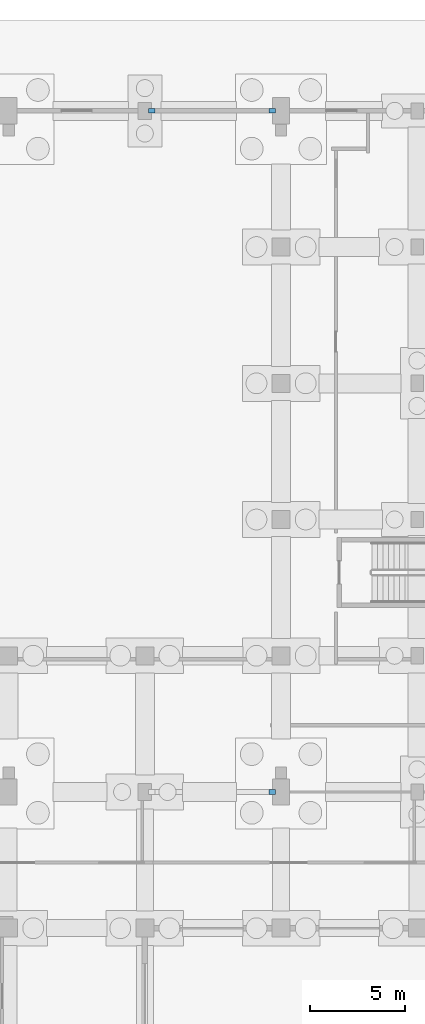
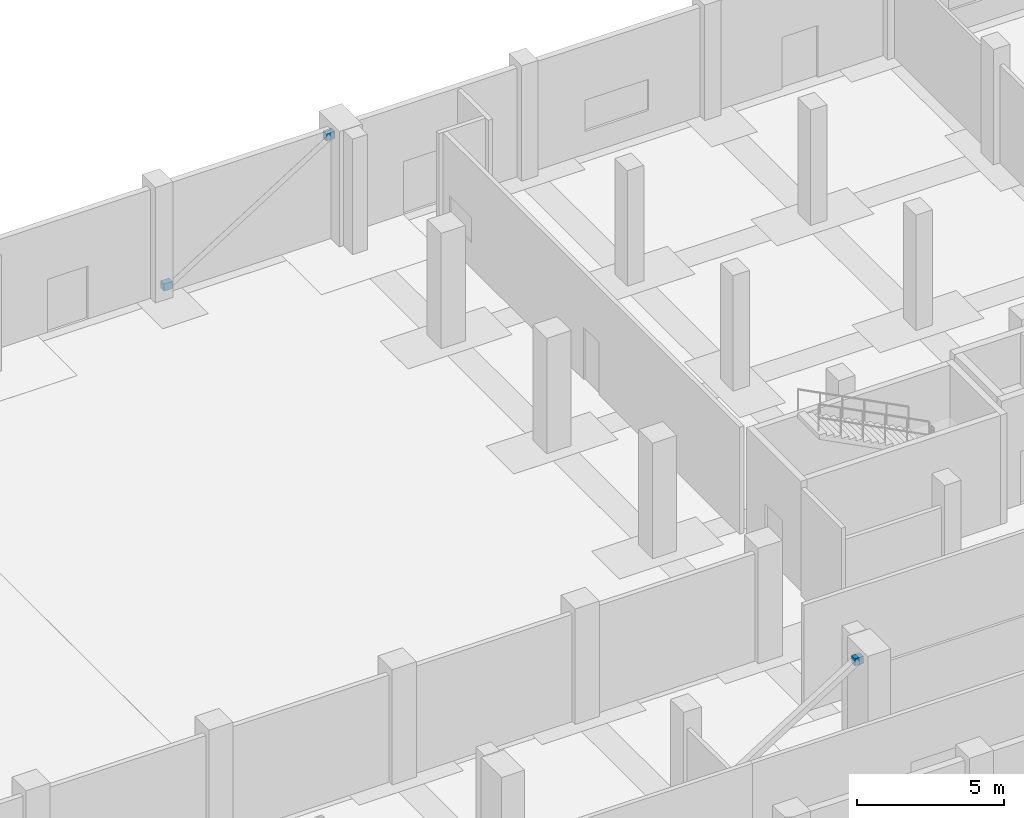
# One storey, part 17 of 48: 3 plates.
"""IFC4 building model written with IfcOpenShell, lengths in metres."""

from ifc_helpers import new_model, si_unit, direction, frame, origin, origin_2d, place, context, subcontext, project, spatial, rectangle, extrude, material, layer, layer_set, type_object, element, save


model = new_model("IFC4")

# Units and contexts
model_context = context("Model", 3, precision=1e-05, world=origin(), true_north=direction((0.0, 1.0)))
body_context = subcontext(model_context, "Body", "Model", "MODEL_VIEW")
ifc_project = project(units=[si_unit("LENGTHUNIT", "METRE"), si_unit("AREAUNIT", "SQUARE_METRE"), si_unit("VOLUMEUNIT", "CUBIC_METRE"), si_unit("PLANEANGLEUNIT", "RADIAN"), si_unit("MASSUNIT", "GRAM", prefix="KILO")], contexts=[model_context])

# Site, building, storey
site_placement = place(None, origin())
site = spatial("IfcSite", under=ifc_project, at=site_placement, CompositionType="ELEMENT")
building_placement = place(site_placement, origin())
building = spatial("IfcBuilding", under=site, at=building_placement, Name="Seraya Terrace Polytechnic", CompositionType="ELEMENT")
storey_placement = place(building_placement, origin())
storey = spatial("IfcBuildingStorey", under=building, at=storey_placement, Name="L00", CompositionType="ELEMENT", Elevation=0.0)

# Plates
ifc_material = material(Name="Steel S355J2", Category="steel")
ifc_layer = layer(ifc_material, 0.300048828125, Name="EP-04")
ifc_layer_set = layer_set([ifc_layer], Name="Steel S355J2")
plate_type = type_object("IfcPlateType", Name="EP-04", PredefinedType="USERDEFINED", material=ifc_layer_set)
for number, where, z_axis, x_axis, name in (
    (1, (114.74169921875, 79.199951171875, 4.1044921875), (0.0, 0.0, 1.0), (1.0, 0.0, 0.0), "Hollow end-cap plate VBR-L00-SE end"),
    (2, (108.358154296875, 115.199951171875, 0.095703125), (0.0, 0.0, 1.0), (1.0, 0.0, 0.0), "Hollow end-cap plate VBR-L00-NE start"),
    (3, (114.74169921875, 115.199951171875, 4.1044921875), (0.0, 0.0, 1.0), (1.0, 0.0, 0.0), "Hollow end-cap plate VBR-L00-NE end"),
):
    element("IfcPlate", number, at=place(storey_placement, frame(where, z_axis=z_axis, x_axis=x_axis)), inside=storey, type_object=plate_type, Name=name, ObjectType="FLANGE_PLATE", PredefinedType="USERDEFINED", context=body_context, shape_type="SweptSolid", body=[
        extrude(rectangle(XDim=0.340087890625, YDim=0.239990234375, at=origin_2d()), origin(), (0.0, 0.0, 1.0), 0.300048828125),
    ])

save(model, "model.ifc")
